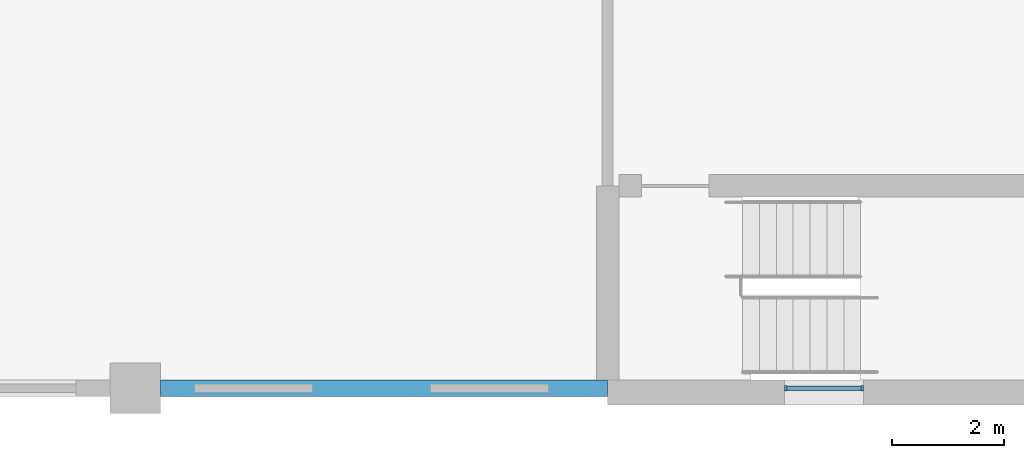
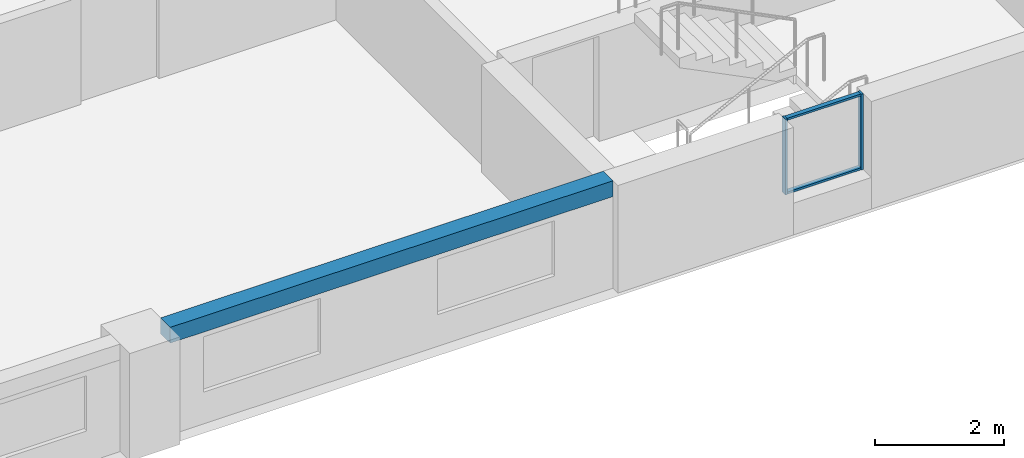
# One storey, part 19 of 48: 4 members, 1 beam, 1 element without a shape of its own.
"""IFC4 building model written with IfcOpenShell, lengths in metres."""

from ifc_helpers import new_model, si_unit, direction, frame, origin, origin_2d, place, context, subcontext, project, spatial, rectangle, extrude, material, material_profile, profile_set, type_object, element, aggregate, save


model = new_model("IFC4")

# Units and contexts
model_context = context("Model", 3, precision=1e-05, world=origin(), true_north=direction((0.0, 1.0)))
body_context = subcontext(model_context, "Body", "Model", "MODEL_VIEW")
ifc_project = project(units=[si_unit("LENGTHUNIT", "METRE"), si_unit("AREAUNIT", "SQUARE_METRE"), si_unit("VOLUMEUNIT", "CUBIC_METRE"), si_unit("PLANEANGLEUNIT", "RADIAN"), si_unit("MASSUNIT", "GRAM", prefix="KILO")], contexts=[model_context])

# Site, building, storey
site_placement = place(None, origin())
site = spatial("IfcSite", under=ifc_project, at=site_placement, CompositionType="ELEMENT")
building_placement = place(site_placement, origin())
building = spatial("IfcBuilding", under=site, at=building_placement, Name="Yavir Park General Hospital", CompositionType="ELEMENT")
storey_placement = place(building_placement, frame((0.0, 0.0, 12.89990234375)))
storey = spatial("IfcBuildingStorey", under=building, at=storey_placement, Name="I02", CompositionType="ELEMENT", Elevation=12.89990234375)

# Beam
ifc_material_1 = material(Name="Concrete C35/45", Category="concrete")
ifc_material_profile_1 = material_profile(ifc_material_1, rectangle(XDim=0.300048828125, YDim=0.300048828125, at=origin_2d()), Name="RC300x300")
ifc_profile_set_1 = profile_set([ifc_material_profile_1], Name="Concrete C35/45")
beam_type = type_object("IfcBeamType", Name="RC BEAM 300x300 edge beam", PredefinedType="BEAM", material=ifc_profile_set_1)
beam_placement = place(storey_placement, frame((126.449951171875, 0.0, 1.89013671875), z_axis=(1.0, 0.0, 0.0), x_axis=(0.0, 1.0, 0.0)))
element("IfcBeam", 1, at=beam_placement, inside=storey, type_object=beam_type, Name="B:EDGE:I02:013", PredefinedType="BEAM", context=body_context, shape_type="SweptSolid", body=[
    extrude(rectangle(XDim=0.300048828125, YDim=0.300048828125, at=origin_2d()), origin(), (0.0, 0.0, 1.0), 7.949951171875),
])

# Curtain wall, members
ifc_material_2 = material(Name="Aluminium curtain wall frame with insulated glazing", Category="aluminium")
curtain_wall_type = type_object("IfcCurtainWallType", Name="Stair light slot, interstitial floor, 1440 high, 1400 module", PredefinedType="NOTDEFINED", material=ifc_material_2)
curtain_wall_placement = place(storey_placement, origin())
curtain_wall = element("IfcCurtainWall", 2, at=curtain_wall_placement, inside=storey, type_object=curtain_wall_type, Name="CW12 I02-004", PredefinedType="NOTDEFINED")
ifc_material_3 = material(Name="Aluminium", Category="aluminium")
ifc_material_profile_2 = material_profile(ifc_material_3, rectangle(XDim=0.10009765625, YDim=0.0400390625, at=origin_2d()), Name="AL 40x100")
ifc_profile_set_2 = profile_set([ifc_material_profile_2], Name="Aluminium")
member_type_1 = type_object("IfcMemberType", Name="Stair light slot, interstitial floor, 1440 high mullion 40 x 100", PredefinedType="MULLION", material=ifc_profile_set_2)
member_1_placement = place(storey_placement, frame((137.570068359375, 0.0, 0.60009765625), z_axis=(0.0, 0.0, 1.0), x_axis=(0.0, 1.0, 0.0)))
member_1 = element("IfcMember", 3, at=member_1_placement, type_object=member_type_1, Name="CW12 mullion 1", PredefinedType="MULLION", context=body_context, shape_type="SweptSolid", body=[
    extrude(rectangle(XDim=0.10009765625, YDim=0.0400390625, at=origin_2d()), origin(), (0.0, 0.0, 1.0), 1.43994140625),
])
member_2_placement = place(storey_placement, frame((138.929931640625, 0.0, 0.60009765625), z_axis=(0.0, 0.0, 1.0), x_axis=(0.0, 1.0, 0.0)))
member_2 = element("IfcMember", 4, at=member_2_placement, type_object=member_type_1, Name="CW12 mullion 2", PredefinedType="MULLION", context=body_context, shape_type="SweptSolid", body=[
    extrude(rectangle(XDim=0.10009765625, YDim=0.0400390625, at=origin_2d()), origin(), (0.0, 0.0, 1.0), 1.43994140625),
])
ifc_material_4 = material(Name="Aluminium", Category="aluminium")
ifc_material_profile_3 = material_profile(ifc_material_4, rectangle(XDim=0.080078125, YDim=0.0400390625, at=origin_2d()), Name="AL 80x40")
ifc_profile_set_3 = profile_set([ifc_material_profile_3], Name="Aluminium")
member_type_2 = type_object("IfcMemberType", Name="Stair light slot, interstitial floor, 1440 high transom 40 x 80", PredefinedType="MULLION", material=ifc_profile_set_3)
member_3_placement = place(storey_placement, frame((137.590087890625, 0.0, 0.6201171875), z_axis=(1.0, 0.0, 0.0), x_axis=(0.0, 1.0, 0.0)))
member_3 = element("IfcMember", 5, at=member_3_placement, type_object=member_type_2, Name="CW12 transom 1.1", PredefinedType="MULLION", context=body_context, shape_type="SweptSolid", body=[
    extrude(rectangle(XDim=0.080078125, YDim=0.0400390625, at=origin_2d()), origin(), (0.0, 0.0, 1.0), 1.31982421875),
])
member_4_placement = place(storey_placement, frame((137.590087890625, 0.0, 2.02001953125), z_axis=(1.0, 0.0, 0.0), x_axis=(0.0, 1.0, 0.0)))
member_4 = element("IfcMember", 6, at=member_4_placement, type_object=member_type_2, Name="CW12 transom 1.2", PredefinedType="MULLION", context=body_context, shape_type="SweptSolid", body=[
    extrude(rectangle(XDim=0.080078125, YDim=0.0400390625, at=origin_2d()), origin(), (0.0, 0.0, 1.0), 1.31982421875),
])
aggregate(curtain_wall, [member_1, member_2, member_3, member_4])

save(model, "model.ifc")
